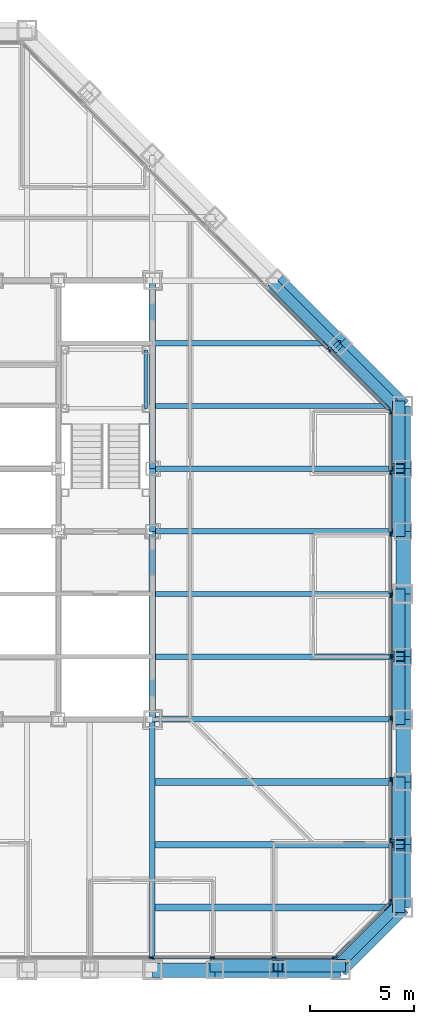
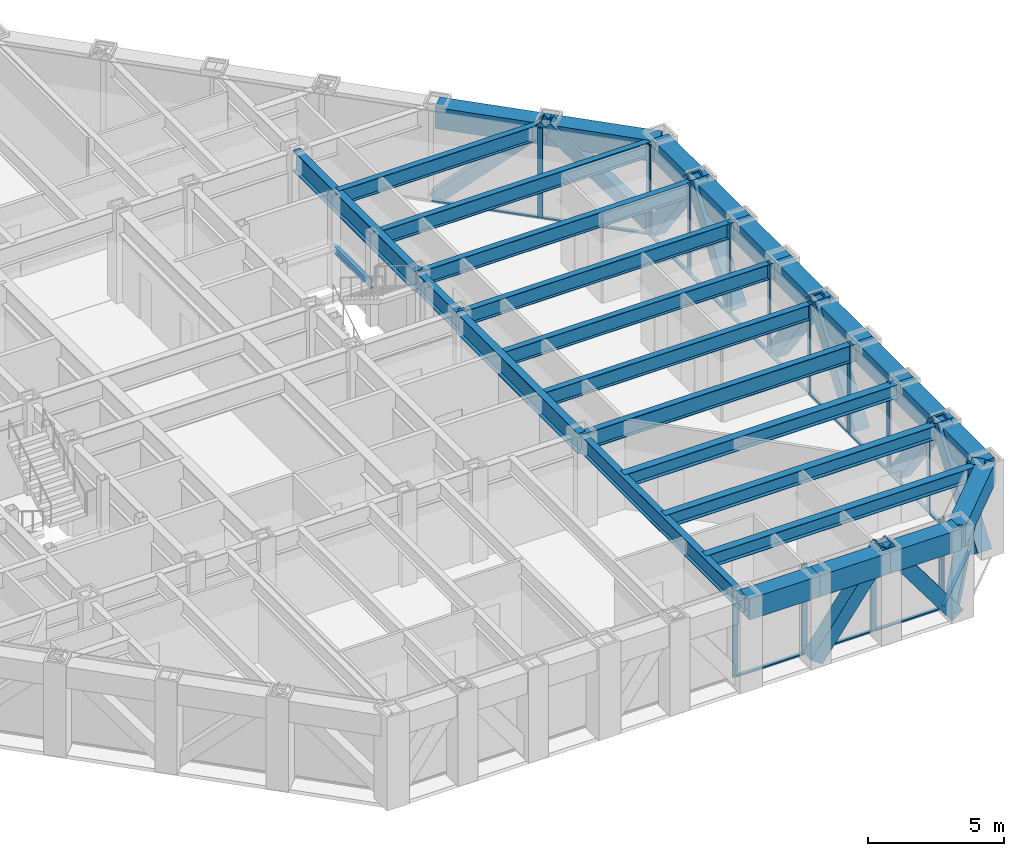
# One storey, part 6 of 17: 42 members, 29 beams, 4 elements without a shape of their own.
"""IFC4 building model written with IfcOpenShell, lengths in metres."""

from ifc_helpers import new_model, si_unit, direction, frame, origin, origin_2d, place, context, subcontext, project, spatial, rectangle, hollow_rectangle, i_section, extrude, material, layer, layer_set, material_profile, profile_set, type_object, element, aggregate, save


model = new_model("IFC4")

# Units and contexts
model_context = context("Model", 3, precision=1e-05, world=origin(), true_north=direction((0.0, 1.0)))
body_context = subcontext(model_context, "Body", "Model", "MODEL_VIEW")
ifc_project = project(units=[si_unit("LENGTHUNIT", "METRE"), si_unit("AREAUNIT", "SQUARE_METRE"), si_unit("VOLUMEUNIT", "CUBIC_METRE"), si_unit("PLANEANGLEUNIT", "RADIAN"), si_unit("MASSUNIT", "GRAM", prefix="KILO")], contexts=[model_context])

# Site, building, storey
site_placement = place(None, origin())
site = spatial("IfcSite", under=ifc_project, at=site_placement, CompositionType="ELEMENT")
building_placement = place(site_placement, origin())
building = spatial("IfcBuilding", under=site, at=building_placement, Name="Chuquiago Exchange Tower", CompositionType="ELEMENT")
storey_placement = place(building_placement, frame((0.0, 0.0, 165.60009765625)))
storey = spatial("IfcBuildingStorey", under=building, at=storey_placement, Name="L36", CompositionType="ELEMENT", Elevation=165.60009765625)

# Beams
ifc_material_1 = material(Name="Steel ASTM A992", Category="steel")
ifc_material_profile_1 = material_profile(ifc_material_1, i_section(OverallWidth=0.25390625, OverallDepth=0.683349609375, WebThickness=0.012451171875, FlangeThickness=0.018798828125, at=origin_2d()), Name="W27X94")
ifc_profile_set_1 = profile_set([ifc_material_profile_1], Name="Steel ASTM A992")
beam_type_1 = type_object("IfcBeamType", Name="B1 W27X94", PredefinedType="BEAM", material=ifc_profile_set_1)
for number, where, z_axis, x_axis, name in (
    (1, (33.0, 15.0, 3.6982421875), (1.0, 0.0, 0.0), (0.0, 1.0, 0.0), "FB-L37-infill-33_15-45_15-0"),
    (2, (33.0, 18.0, 3.6982421875), (1.0, 0.0, 0.0), (0.0, 1.0, 0.0), "FB-L37-infill-33_18-45_18-0"),
    (3, (33.0, 21.0, 3.6982421875), (1.0, 0.0, 0.0), (0.0, 1.0, 0.0), "FB-L37-infill-33_21-45_21-0"),
    (4, (33.0, 24.0, 3.6982421875), (1.0, 0.0, 0.0), (0.0, 1.0, 0.0), "FB-L37-infill-33_24-45_24-0"),
    (5, (33.0, 27.0, 3.6982421875), (1.0, 0.0, 0.0), (0.0, 1.0, 0.0), "FB-L37-infill-33_27-45_27-0"),
):
    element("IfcBeam", number, at=place(storey_placement, frame(where, z_axis=z_axis, x_axis=x_axis)), inside=storey, type_object=beam_type_1, Name=name, PredefinedType="BEAM", context=body_context, shape_type="SweptSolid", body=[
        extrude(i_section(OverallWidth=0.25390625, OverallDepth=0.683349609375, WebThickness=0.012451171875, FlangeThickness=0.018798828125, at=origin_2d()), origin(), (0.0, 0.0, 1.0), 12.0),
    ])
beam_1_placement = place(storey_placement, frame((33.0, 30.0, 3.6982421875), z_axis=(1.0, 0.0, 0.0), x_axis=(0.0, 1.0, 0.0)))
element("IfcBeam", 6, at=beam_1_placement, inside=storey, type_object=beam_type_1, Name="FB-L37-infill-33_30-42_30-0", PredefinedType="BEAM", context=body_context, shape_type="SweptSolid", body=[
    extrude(i_section(OverallWidth=0.25390625, OverallDepth=0.683349609375, WebThickness=0.012451171875, FlangeThickness=0.018798828125, at=origin_2d()), origin(), (0.0, 0.0, 1.0), 9.0),
])
ifc_material_2 = material(Name="Steel ASTM A992", Category="steel")
ifc_material_profile_2 = material_profile(ifc_material_2, i_section(OverallWidth=0.307373046875, OverallDepth=0.927001953125, WebThickness=0.01953125, FlangeThickness=0.031982421875, at=origin_2d()), Name="W36X194")
ifc_profile_set_2 = profile_set([ifc_material_profile_2], Name="Steel ASTM A992")
beam_type_2 = type_object("IfcBeamType", Name="B10 W36X194", PredefinedType="BEAM", material=ifc_profile_set_2)
for number, where, z_axis, x_axis, name in (
    (7, (33.0, 12.0, 3.576416015625), (0.0, 1.0, 0.0), (-1.0, 0.0, 0.0), "CB-L37-33_12-33_21"),
    (8, (33.0, 24.0, 3.576416015625), (0.0, 1.0, 0.0), (-1.0, 0.0, 0.0), "CB-L37-33_24-33_33"),
):
    element("IfcBeam", number, at=place(storey_placement, frame(where, z_axis=z_axis, x_axis=x_axis)), inside=storey, type_object=beam_type_2, Name=name, PredefinedType="BEAM", context=body_context, shape_type="SweptSolid", body=[
        extrude(i_section(OverallWidth=0.307373046875, OverallDepth=0.927001953125, WebThickness=0.01953125, FlangeThickness=0.031982421875, at=origin_2d()), origin(), (0.0, 0.0, 1.0), 9.0),
    ])
ifc_material_3 = material(Name="Steel ASTM A992", Category="steel")
ifc_material_profile_3 = material_profile(ifc_material_3, i_section(OverallWidth=0.3251953125, OverallDepth=0.612060546875, WebThickness=0.0126953125, FlangeThickness=0.01904296875, at=origin_2d()), Name="W24X104")
ifc_profile_set_3 = profile_set([ifc_material_profile_3], Name="Steel ASTM A992")
beam_type_3 = type_object("IfcBeamType", Name="B2 W24X104", PredefinedType="BEAM", material=ifc_profile_set_3)
for number, where, z_axis, x_axis, name in (
    (9, (33.0, 3.0, 3.73388671875), (1.0, 0.0, 0.0), (0.0, 1.0, 0.0), "FB-L37-corner-33_3-45_3-0"),
    (10, (33.0, 6.0, 3.73388671875), (1.0, 0.0, 0.0), (0.0, 1.0, 0.0), "FB-L37-corner-33_6-45_6-0"),
    (11, (33.0, 9.0, 3.73388671875), (1.0, 0.0, 0.0), (0.0, 1.0, 0.0), "FB-L37-corner-33_9-45_9-0"),
):
    element("IfcBeam", number, at=place(storey_placement, frame(where, z_axis=z_axis, x_axis=x_axis)), inside=storey, type_object=beam_type_3, Name=name, PredefinedType="BEAM", context=body_context, shape_type="SweptSolid", body=[
        extrude(i_section(OverallWidth=0.3251953125, OverallDepth=0.612060546875, WebThickness=0.0126953125, FlangeThickness=0.01904296875, at=origin_2d()), origin(), (0.0, 0.0, 1.0), 12.0),
    ])
ifc_material_4 = material(Name="Steel ASTM A992", Category="steel")
ifc_material_profile_4 = material_profile(ifc_material_4, i_section(OverallWidth=0.2919921875, OverallDepth=0.8583984375, WebThickness=0.01708984375, FlangeThickness=0.031005859375, at=origin_2d()), Name="W33X169")
ifc_profile_set_4 = profile_set([ifc_material_profile_4], Name="Steel ASTM A992")
beam_type_4 = type_object("IfcBeamType", Name="B3 W33X169", PredefinedType="BEAM", material=ifc_profile_set_4)
beam_2_placement = place(storey_placement, frame((33.0, 21.0, 3.610595703125), z_axis=(0.0, 1.0, 0.0), x_axis=(-1.0, 0.0, 0.0)))
element("IfcBeam", 12, at=beam_2_placement, inside=storey, type_object=beam_type_4, Name="CB-L37-33_21-33_24", PredefinedType="BEAM", context=body_context, shape_type="SweptSolid", body=[
    extrude(i_section(OverallWidth=0.2919921875, OverallDepth=0.8583984375, WebThickness=0.01708984375, FlangeThickness=0.031005859375, at=origin_2d()), origin(), (0.0, 0.0, 1.0), 3.0),
])

# Curtain wall, members
ifc_material_5 = material(Name="Aluminium curtain wall system", Category="aluminium")
ifc_layer_1 = layer(ifc_material_5, 0.22509765625)
ifc_layer_set_1 = layer_set([ifc_layer_1], Name="CW2 office curtain wall")
curtain_wall_type_1 = type_object("IfcCurtainWallType", Name="CW2 office curtain wall", PredefinedType="NOTDEFINED", material=ifc_layer_set_1)
curtain_wall_1_placement = place(storey_placement, origin())
curtain_wall_1 = element("IfcCurtainWall", 13, at=curtain_wall_1_placement, inside=storey, type_object=curtain_wall_type_1, Name="CW2 curtain wall L36", PredefinedType="NOTDEFINED")
ifc_material_6 = material(Name="Aluminium mullion, pale anodised", Category="aluminium")
ifc_material_profile_5 = material_profile(ifc_material_6, rectangle(XDim=0.06494140625, YDim=0.22509765625, at=origin_2d()), Name="AL 65x225")
ifc_profile_set_5 = profile_set([ifc_material_profile_5], Name="Aluminium mullion, pale anodised")
member_type_1 = type_object("IfcMemberType", Name="CW2-M mullion 65x225", PredefinedType="MULLION", material=ifc_profile_set_5)
member_1_placement = place(storey_placement, frame((32.93798828125, 0.60009765625, 0.0), z_axis=(0.0, 0.0, 1.0), x_axis=(0.0, 1.0, 0.0)))
member_1 = element("IfcMember", 14, at=member_1_placement, type_object=member_type_1, Name="CW2 mullion 6", PredefinedType="MULLION", context=body_context, shape_type="SweptSolid", body=[
    extrude(rectangle(XDim=0.06494140625, YDim=0.22509765625, at=origin_2d()), origin(), (0.0, 0.0, 1.0), 4.039794921875),
])
member_2_placement = place(storey_placement, frame((35.875732421875, 0.60009765625, 0.0), z_axis=(0.0, 0.0, 1.0), x_axis=(0.0, 1.0, 0.0)))
member_2 = element("IfcMember", 15, at=member_2_placement, type_object=member_type_1, Name="CW2 mullion 7", PredefinedType="MULLION", context=body_context, shape_type="SweptSolid", body=[
    extrude(rectangle(XDim=0.06494140625, YDim=0.22509765625, at=origin_2d()), origin(), (0.0, 0.0, 1.0), 4.039794921875),
])
member_3_placement = place(storey_placement, frame((38.813720703125, 0.60009765625, 0.0), z_axis=(0.0, 0.0, 1.0), x_axis=(0.0, 1.0, 0.0)))
member_3 = element("IfcMember", 16, at=member_3_placement, type_object=member_type_1, Name="CW2 mullion 8", PredefinedType="MULLION", context=body_context, shape_type="SweptSolid", body=[
    extrude(rectangle(XDim=0.06494140625, YDim=0.22509765625, at=origin_2d()), origin(), (0.0, 0.0, 1.0), 4.039794921875),
])
member_4_placement = place(storey_placement, frame((41.718994140625, 0.60009765625, 0.0), z_axis=(0.0, 0.0, 1.0), x_axis=(0.0, 1.0, 0.0)))
member_4 = element("IfcMember", 17, at=member_4_placement, type_object=member_type_1, Name="CW2 mullion 9", PredefinedType="MULLION", context=body_context, shape_type="SweptSolid", body=[
    extrude(rectangle(XDim=0.06494140625, YDim=0.22509765625, at=origin_2d()), origin(), (0.0, 0.0, 1.0), 4.039794921875),
])

curtain_wall_2_placement = place(storey_placement, origin())
curtain_wall_2 = element("IfcCurtainWall", 18, at=curtain_wall_2_placement, inside=storey, type_object=curtain_wall_type_1, Name="CW2 curtain wall L36", PredefinedType="NOTDEFINED")
member_5_placement = place(storey_placement, frame((44.39990234375, 3.281005859375, 0.0), z_axis=(0.0, 0.0, 1.0), x_axis=(-1.0, 0.0, 0.0)))
member_5 = element("IfcMember", 19, at=member_5_placement, type_object=member_type_1, Name="CW2 mullion 1", PredefinedType="MULLION", context=body_context, shape_type="SweptSolid", body=[
    extrude(rectangle(XDim=0.06494140625, YDim=0.22509765625, at=origin_2d()), origin(), (0.0, 0.0, 1.0), 4.039794921875),
])
member_6_placement = place(storey_placement, frame((44.39990234375, 6.186279296875, 0.0), z_axis=(0.0, 0.0, 1.0), x_axis=(-1.0, 0.0, 0.0)))
member_6 = element("IfcMember", 20, at=member_6_placement, type_object=member_type_1, Name="CW2 mullion 2", PredefinedType="MULLION", context=body_context, shape_type="SweptSolid", body=[
    extrude(rectangle(XDim=0.06494140625, YDim=0.22509765625, at=origin_2d()), origin(), (0.0, 0.0, 1.0), 4.039794921875),
])
member_7_placement = place(storey_placement, frame((44.39990234375, 9.124267578125, 0.0), z_axis=(0.0, 0.0, 1.0), x_axis=(-1.0, 0.0, 0.0)))
member_7 = element("IfcMember", 21, at=member_7_placement, type_object=member_type_1, Name="CW2 mullion 3", PredefinedType="MULLION", context=body_context, shape_type="SweptSolid", body=[
    extrude(rectangle(XDim=0.06494140625, YDim=0.22509765625, at=origin_2d()), origin(), (0.0, 0.0, 1.0), 4.039794921875),
])
member_8_placement = place(storey_placement, frame((44.39990234375, 12.06201171875, 0.0), z_axis=(0.0, 0.0, 1.0), x_axis=(-1.0, 0.0, 0.0)))
member_8 = element("IfcMember", 22, at=member_8_placement, type_object=member_type_1, Name="CW2 mullion 4", PredefinedType="MULLION", context=body_context, shape_type="SweptSolid", body=[
    extrude(rectangle(XDim=0.06494140625, YDim=0.22509765625, at=origin_2d()), origin(), (0.0, 0.0, 1.0), 4.039794921875),
])
member_9_placement = place(storey_placement, frame((44.39990234375, 15.0, 0.0), z_axis=(0.0, 0.0, 1.0), x_axis=(-1.0, 0.0, 0.0)))
member_9 = element("IfcMember", 23, at=member_9_placement, type_object=member_type_1, Name="CW2 mullion 5", PredefinedType="MULLION", context=body_context, shape_type="SweptSolid", body=[
    extrude(rectangle(XDim=0.06494140625, YDim=0.22509765625, at=origin_2d()), origin(), (0.0, 0.0, 1.0), 4.039794921875),
])
member_10_placement = place(storey_placement, frame((44.39990234375, 17.93798828125, 0.0), z_axis=(0.0, 0.0, 1.0), x_axis=(-1.0, 0.0, 0.0)))
member_10 = element("IfcMember", 24, at=member_10_placement, type_object=member_type_1, Name="CW2 mullion 6", PredefinedType="MULLION", context=body_context, shape_type="SweptSolid", body=[
    extrude(rectangle(XDim=0.06494140625, YDim=0.22509765625, at=origin_2d()), origin(), (0.0, 0.0, 1.0), 4.039794921875),
])
member_11_placement = place(storey_placement, frame((44.39990234375, 20.875732421875, 0.0), z_axis=(0.0, 0.0, 1.0), x_axis=(-1.0, 0.0, 0.0)))
member_11 = element("IfcMember", 25, at=member_11_placement, type_object=member_type_1, Name="CW2 mullion 7", PredefinedType="MULLION", context=body_context, shape_type="SweptSolid", body=[
    extrude(rectangle(XDim=0.06494140625, YDim=0.22509765625, at=origin_2d()), origin(), (0.0, 0.0, 1.0), 4.039794921875),
])
member_12_placement = place(storey_placement, frame((44.39990234375, 23.813720703125, 0.0), z_axis=(0.0, 0.0, 1.0), x_axis=(-1.0, 0.0, 0.0)))
member_12 = element("IfcMember", 26, at=member_12_placement, type_object=member_type_1, Name="CW2 mullion 8", PredefinedType="MULLION", context=body_context, shape_type="SweptSolid", body=[
    extrude(rectangle(XDim=0.06494140625, YDim=0.22509765625, at=origin_2d()), origin(), (0.0, 0.0, 1.0), 4.039794921875),
])
member_13_placement = place(storey_placement, frame((44.39990234375, 26.718994140625, 0.0), z_axis=(0.0, 0.0, 1.0), x_axis=(-1.0, 0.0, 0.0)))
member_13 = element("IfcMember", 27, at=member_13_placement, type_object=member_type_1, Name="CW2 mullion 9", PredefinedType="MULLION", context=body_context, shape_type="SweptSolid", body=[
    extrude(rectangle(XDim=0.06494140625, YDim=0.22509765625, at=origin_2d()), origin(), (0.0, 0.0, 1.0), 4.039794921875),
])

# Member
ifc_material_7 = material(Name="Aluminium transom, pale anodised", Category="aluminium")
ifc_material_profile_6 = material_profile(ifc_material_7, rectangle(XDim=0.139892578125, YDim=0.06494140625, at=origin_2d()), Name="AL 140x65")
ifc_profile_set_6 = profile_set([ifc_material_profile_6], Name="Aluminium transom, pale anodised")
member_type_2 = type_object("IfcMemberType", Name="CW2-T transom 65x140", PredefinedType="MULLION", material=ifc_profile_set_6)
member_14_placement = place(storey_placement, frame((32.970458984375, 0.60009765625, 0.032470703125), z_axis=(1.0, 0.0, 0.0), x_axis=(0.0, 1.0, 0.0)))
member_14 = element("IfcMember", 28, at=member_14_placement, type_object=member_type_2, Name="CW2 transom 6.1", PredefinedType="MULLION", context=body_context, shape_type="SweptSolid", body=[
    extrude(rectangle(XDim=0.139892578125, YDim=0.06494140625, at=origin_2d()), origin(), (0.0, 0.0, 1.0), 2.872802734375),
])

member_15_placement = place(storey_placement, frame((35.908203125, 0.60009765625, 0.032470703125), z_axis=(1.0, 0.0, 0.0), x_axis=(0.0, 1.0, 0.0)))
member_15 = element("IfcMember", 29, at=member_15_placement, type_object=member_type_2, Name="CW2 transom 7.1", PredefinedType="MULLION", context=body_context, shape_type="SweptSolid", body=[
    extrude(rectangle(XDim=0.139892578125, YDim=0.06494140625, at=origin_2d()), origin(), (0.0, 0.0, 1.0), 2.872802734375),
])

member_16_placement = place(storey_placement, frame((38.84619140625, 0.60009765625, 0.032470703125), z_axis=(1.0, 0.0, 0.0), x_axis=(0.0, 1.0, 0.0)))
member_16 = element("IfcMember", 30, at=member_16_placement, type_object=member_type_2, Name="CW2 transom 8.1", PredefinedType="MULLION", context=body_context, shape_type="SweptSolid", body=[
    extrude(rectangle(XDim=0.139892578125, YDim=0.06494140625, at=origin_2d()), origin(), (0.0, 0.0, 1.0), 2.84033203125),
])

aggregate(curtain_wall_1, [member_1, member_2, member_3, member_4, member_14, member_15, member_16])

member_17_placement = place(storey_placement, frame((44.39990234375, 3.3134765625, 0.032470703125), z_axis=(0.0, 1.0, 0.0), x_axis=(-1.0, 0.0, 0.0)))
member_17 = element("IfcMember", 31, at=member_17_placement, type_object=member_type_2, Name="CW2 transom 1.1", PredefinedType="MULLION", context=body_context, shape_type="SweptSolid", body=[
    extrude(rectangle(XDim=0.139892578125, YDim=0.06494140625, at=origin_2d()), origin(), (0.0, 0.0, 1.0), 2.84033203125),
])

member_18_placement = place(storey_placement, frame((44.39990234375, 6.218994140625, 0.032470703125), z_axis=(0.0, 1.0, 0.0), x_axis=(-1.0, 0.0, 0.0)))
member_18 = element("IfcMember", 32, at=member_18_placement, type_object=member_type_2, Name="CW2 transom 2.1", PredefinedType="MULLION", context=body_context, shape_type="SweptSolid", body=[
    extrude(rectangle(XDim=0.139892578125, YDim=0.06494140625, at=origin_2d()), origin(), (0.0, 0.0, 1.0), 2.872802734375),
])

member_19_placement = place(storey_placement, frame((44.39990234375, 9.15673828125, 0.032470703125), z_axis=(0.0, 1.0, 0.0), x_axis=(-1.0, 0.0, 0.0)))
member_19 = element("IfcMember", 33, at=member_19_placement, type_object=member_type_2, Name="CW2 transom 3.1", PredefinedType="MULLION", context=body_context, shape_type="SweptSolid", body=[
    extrude(rectangle(XDim=0.139892578125, YDim=0.06494140625, at=origin_2d()), origin(), (0.0, 0.0, 1.0), 2.872802734375),
])

member_20_placement = place(storey_placement, frame((44.39990234375, 12.0947265625, 0.032470703125), z_axis=(0.0, 1.0, 0.0), x_axis=(-1.0, 0.0, 0.0)))
member_20 = element("IfcMember", 34, at=member_20_placement, type_object=member_type_2, Name="CW2 transom 4.1", PredefinedType="MULLION", context=body_context, shape_type="SweptSolid", body=[
    extrude(rectangle(XDim=0.139892578125, YDim=0.06494140625, at=origin_2d()), origin(), (0.0, 0.0, 1.0), 2.872802734375),
])

member_21_placement = place(storey_placement, frame((44.39990234375, 15.032470703125, 0.032470703125), z_axis=(0.0, 1.0, 0.0), x_axis=(-1.0, 0.0, 0.0)))
member_21 = element("IfcMember", 35, at=member_21_placement, type_object=member_type_2, Name="CW2 transom 5.1", PredefinedType="MULLION", context=body_context, shape_type="SweptSolid", body=[
    extrude(rectangle(XDim=0.139892578125, YDim=0.06494140625, at=origin_2d()), origin(), (0.0, 0.0, 1.0), 2.872802734375),
])

member_22_placement = place(storey_placement, frame((44.39990234375, 17.970458984375, 0.032470703125), z_axis=(0.0, 1.0, 0.0), x_axis=(-1.0, 0.0, 0.0)))
member_22 = element("IfcMember", 36, at=member_22_placement, type_object=member_type_2, Name="CW2 transom 6.1", PredefinedType="MULLION", context=body_context, shape_type="SweptSolid", body=[
    extrude(rectangle(XDim=0.139892578125, YDim=0.06494140625, at=origin_2d()), origin(), (0.0, 0.0, 1.0), 2.872802734375),
])

member_23_placement = place(storey_placement, frame((44.39990234375, 20.908203125, 0.032470703125), z_axis=(0.0, 1.0, 0.0), x_axis=(-1.0, 0.0, 0.0)))
member_23 = element("IfcMember", 37, at=member_23_placement, type_object=member_type_2, Name="CW2 transom 7.1", PredefinedType="MULLION", context=body_context, shape_type="SweptSolid", body=[
    extrude(rectangle(XDim=0.139892578125, YDim=0.06494140625, at=origin_2d()), origin(), (0.0, 0.0, 1.0), 2.872802734375),
])

member_24_placement = place(storey_placement, frame((44.39990234375, 23.84619140625, 0.032470703125), z_axis=(0.0, 1.0, 0.0), x_axis=(-1.0, 0.0, 0.0)))
member_24 = element("IfcMember", 38, at=member_24_placement, type_object=member_type_2, Name="CW2 transom 8.1", PredefinedType="MULLION", context=body_context, shape_type="SweptSolid", body=[
    extrude(rectangle(XDim=0.139892578125, YDim=0.06494140625, at=origin_2d()), origin(), (0.0, 0.0, 1.0), 2.84033203125),
])

aggregate(curtain_wall_2, [member_5, member_6, member_7, member_8, member_9, member_10, member_11, member_12, member_13, member_17, member_18, member_19, member_20, member_21, member_22, member_23, member_24])

# Curtain wall, members
ifc_material_8 = material(Name="Aluminium curtain wall system", Category="aluminium")
ifc_layer_2 = layer(ifc_material_8, 0.199951171875)
ifc_layer_set_2 = layer_set([ifc_layer_2], Name="CW3 facet curtain wall")
curtain_wall_type_2 = type_object("IfcCurtainWallType", Name="CW3 facet curtain wall", PredefinedType="NOTDEFINED", material=ifc_layer_set_2)
curtain_wall_3_placement = place(storey_placement, origin())
curtain_wall_3 = element("IfcCurtainWall", 39, at=curtain_wall_3_placement, inside=storey, type_object=curtain_wall_type_2, Name="CW3 curtain wall L36", PredefinedType="NOTDEFINED")
ifc_material_9 = material(Name="Aluminium mullion, pale anodised", Category="aluminium")
ifc_material_profile_7 = material_profile(ifc_material_9, rectangle(XDim=0.06494140625, YDim=0.199951171875, at=origin_2d()), Name="AL 65x200")
ifc_profile_set_7 = profile_set([ifc_material_profile_7], Name="Aluminium mullion, pale anodised")
member_type_3 = type_object("IfcMemberType", Name="CW3-M mullion 65x200", PredefinedType="MULLION", material=ifc_profile_set_7)
member_25_placement = place(storey_placement, frame((41.7744140625, 0.623046875, 0.0), z_axis=(0.0, 0.0, 1.0), x_axis=(-0.707106781187, 0.707106781187, 0.0)))
member_25 = element("IfcMember", 40, at=member_25_placement, type_object=member_type_3, Name="CW3 mullion 1", PredefinedType="MULLION", context=body_context, shape_type="SweptSolid", body=[
    extrude(rectangle(XDim=0.06494140625, YDim=0.199951171875, at=origin_2d()), origin(), (0.0, 0.0, 1.0), 4.039794921875),
])
member_26_placement = place(storey_placement, frame((44.376953125, 3.2255859375, 0.0), z_axis=(0.0, 0.0, 1.0), x_axis=(-0.707106781187, 0.707106781187, 0.0)))
member_26 = element("IfcMember", 41, at=member_26_placement, type_object=member_type_3, Name="CW3 mullion 2", PredefinedType="MULLION", context=body_context, shape_type="SweptSolid", body=[
    extrude(rectangle(XDim=0.06494140625, YDim=0.199951171875, at=origin_2d()), origin(), (0.0, 0.0, 1.0), 4.039794921875),
])

curtain_wall_4_placement = place(storey_placement, origin())
curtain_wall_4 = element("IfcCurtainWall", 42, at=curtain_wall_4_placement, inside=storey, type_object=curtain_wall_type_2, Name="CW3 curtain wall L36", PredefinedType="NOTDEFINED")
member_27_placement = place(storey_placement, frame((44.376953125, 26.7744140625, 0.0), z_axis=(0.0, 0.0, 1.0), x_axis=(-0.707106781187, -0.707106781187, 0.0)))
member_27 = element("IfcMember", 43, at=member_27_placement, type_object=member_type_3, Name="CW3 mullion 1", PredefinedType="MULLION", context=body_context, shape_type="SweptSolid", body=[
    extrude(rectangle(XDim=0.06494140625, YDim=0.199951171875, at=origin_2d()), origin(), (0.0, 0.0, 1.0), 4.039794921875),
])
member_28_placement = place(storey_placement, frame((41.45849609375, 29.69287109375, 0.0), z_axis=(0.0, 0.0, 1.0), x_axis=(-0.707106781187, -0.707106781187, 0.0)))
member_28 = element("IfcMember", 44, at=member_28_placement, type_object=member_type_3, Name="CW3 mullion 2", PredefinedType="MULLION", context=body_context, shape_type="SweptSolid", body=[
    extrude(rectangle(XDim=0.06494140625, YDim=0.199951171875, at=origin_2d()), origin(), (0.0, 0.0, 1.0), 4.039794921875),
])

# Member
ifc_material_10 = material(Name="Aluminium transom, pale anodised", Category="aluminium")
ifc_material_profile_8 = material_profile(ifc_material_10, rectangle(XDim=0.139892578125, YDim=0.06494140625, at=origin_2d()), Name="AL 140x65")
ifc_profile_set_8 = profile_set([ifc_material_profile_8], Name="Aluminium transom, pale anodised")
member_type_4 = type_object("IfcMemberType", Name="CW3-T transom 65x140", PredefinedType="MULLION", material=ifc_profile_set_8)
member_29_placement = place(storey_placement, frame((41.79736328125, 0.64599609375, 0.032470703125), z_axis=(0.707106781187, 0.707106781187, 0.0), x_axis=(-0.707106781187, 0.707106781187, 0.0)))
member_29 = element("IfcMember", 45, at=member_29_placement, type_object=member_type_4, Name="CW3 transom 1.1", PredefinedType="MULLION", context=body_context, shape_type="SweptSolid", body=[
    extrude(rectangle(XDim=0.139892578125, YDim=0.06494140625, at=origin_2d()), origin(), (0.0, 0.0, 1.0), 3.61572265625),
])

aggregate(curtain_wall_3, [member_25, member_26, member_29])

member_30_placement = place(storey_placement, frame((44.35400390625, 26.79736328125, 0.032470703125), z_axis=(-0.707106781187, 0.707106781187, 0.0), x_axis=(-0.707106781187, -0.707106781187, 0.0)))
member_30 = element("IfcMember", 46, at=member_30_placement, type_object=member_type_4, Name="CW3 transom 1.1", PredefinedType="MULLION", context=body_context, shape_type="SweptSolid", body=[
    extrude(rectangle(XDim=0.139892578125, YDim=0.06494140625, at=origin_2d()), origin(), (0.0, 0.0, 1.0), 4.0625),
])

member_31_placement = place(storey_placement, frame((41.435546875, 29.7158203125, 0.032470703125), z_axis=(-0.707106781187, 0.707106781187, 0.0), x_axis=(-0.707106781187, -0.707106781187, 0.0)))
member_31 = element("IfcMember", 47, at=member_31_placement, type_object=member_type_4, Name="CW3 transom 2.1", PredefinedType="MULLION", context=body_context, shape_type="SweptSolid", body=[
    extrude(rectangle(XDim=0.139892578125, YDim=0.06494140625, at=origin_2d()), origin(), (0.0, 0.0, 1.0), 4.094970703125),
])

aggregate(curtain_wall_4, [member_27, member_28, member_30, member_31])

# Beams
ifc_material_11 = material(Name="Steel ASTM A992", Category="steel")
ifc_material_profile_9 = material_profile(ifc_material_11, i_section(OverallWidth=0.2666015625, OverallDepth=0.76953125, WebThickness=0.015625, FlangeThickness=0.025390625, at=origin_2d()), Name="W30X132")
ifc_profile_set_9 = profile_set([ifc_material_profile_9], Name="Steel ASTM A992")
beam_type_5 = type_object("IfcBeamType", Name="G1 W30X132", PredefinedType="BEAM", material=ifc_profile_set_9)
for number, where, z_axis, x_axis, name in (
    (48, (33.0, 12.0, 3.655029296875), (0.0, -1.0, 0.0), (1.0, 0.0, 0.0), "FB-L37-girder-33_12-33_-0-0"),
    (49, (33.0, 12.0, 3.655029296875), (1.0, 0.0, 0.0), (0.0, 1.0, 0.0), "FB-L37-girder-33_12-45_12-0"),
):
    element("IfcBeam", number, at=place(storey_placement, frame(where, z_axis=z_axis, x_axis=x_axis)), inside=storey, type_object=beam_type_5, Name=name, PredefinedType="BEAM", context=body_context, shape_type="SweptSolid", body=[
        extrude(i_section(OverallWidth=0.2666015625, OverallDepth=0.76953125, WebThickness=0.015625, FlangeThickness=0.025390625, at=origin_2d()), origin(), (0.0, 0.0, 1.0), 12.0),
    ])

# Members
ifc_material_12 = material(Name="Steel ASTM A500 Grade C", Category="steel")
ifc_material_profile_10 = material_profile(ifc_material_12, hollow_rectangle(XDim=0.508056640625, YDim=0.508056640625, WallThickness=0.017822265625, at=origin_2d()), Name="HSS20X20X3/4")
ifc_profile_set_10 = profile_set([ifc_material_profile_10], Name="Steel ASTM A500 Grade C")
member_type_5 = type_object("IfcMemberType", Name="LB1 HSS20X20X3/4", PredefinedType="BRACE", material=ifc_profile_set_10)
for number, where, z_axis, x_axis, name in (
    (50, (41.822509765625, 0.177490234375, 0.0), (0.51209198167, 0.51209198167, 0.689582195694), (-0.707106781187, 0.707106781187, 0.0), "LB-L36-42_0-45_3"),
    (51, (44.822509765625, 26.822509765625, 0.0), (-0.51209198167, 0.51209198167, 0.689582195694), (-0.707106781187, -0.707106781187, 0.0), "LB-L36-45_27-42_30"),
    (52, (38.822509765625, 32.822509765625, 0.0), (0.51209198167, -0.51209198167, 0.689582195694), (0.707106781187, 0.707106781187, 0.0), "LB-L36-42_30-39_33"),
):
    element("IfcMember", number, at=place(storey_placement, frame(where, z_axis=z_axis, x_axis=x_axis)), inside=storey, type_object=member_type_5, Name=name, PredefinedType="BRACE", context=body_context, shape_type="SweptSolid", body=[
        extrude(hollow_rectangle(XDim=0.508056640625, YDim=0.508056640625, WallThickness=0.017822265625, at=origin_2d()), origin(), (0.0, 0.0, 1.0), 5.8583984375),
    ])

# Beam
ifc_material_13 = material(Name="Steel ASTM A992", Category="steel")
ifc_material_profile_11 = material_profile(ifc_material_13, i_section(OverallWidth=0.164794921875, OverallDepth=0.309814453125, WebThickness=0.005859375, FlangeThickness=0.009765625, at=origin_2d()), Name="W12X26")
ifc_profile_set_11 = profile_set([ifc_material_profile_11], Name="Steel ASTM A992")
beam_type_6 = type_object("IfcBeamType", Name="LS1 W12X26", PredefinedType="BEAM", material=ifc_profile_set_11)
beam_3_placement = place(storey_placement, frame((32.68994140625, 26.889892578125, 1.7451171875), z_axis=(0.0, 1.0, 0.0), x_axis=(-1.0, 0.0, 0.0)))
element("IfcBeam", 53, at=beam_3_placement, inside=storey, type_object=beam_type_6, Name="Stair ST2 L36 landing 1 stringer", PredefinedType="BEAM", context=body_context, shape_type="SweptSolid", body=[
    extrude(i_section(OverallWidth=0.164794921875, OverallDepth=0.309814453125, WebThickness=0.005859375, FlangeThickness=0.009765625, at=origin_2d()), origin(), (0.0, 0.0, 1.0), 2.800048828125),
])

# Members
ifc_material_14 = material(Name="Steel ASTM A572 Grade 50", Category="steel")
ifc_material_profile_12 = material_profile(ifc_material_14, hollow_rectangle(XDim=0.60009765625, YDim=0.60009765625, WallThickness=0.06005859375, at=origin_2d()), Name="BOX600X600X60")
ifc_profile_set_12 = profile_set([ifc_material_profile_12], Name="Steel ASTM A572 Grade 50")
member_type_6 = type_object("IfcMemberType", Name="MB2 BOX600X600X60", PredefinedType="BRACE", material=ifc_profile_set_12)
for number, where, z_axis, x_axis, name in (
    (54, (36.0, 0.205078125, 0.0), (0.596197146086, 0.0, 0.802838067732), (0.0, 1.0, 0.0), "Mega diagonal L36 S face"),
    (55, (42.0, 0.205078125, 0.0), (-0.596197146086, 0.0, 0.802838067732), (0.0, -1.0, 0.0), "Mega diagonal L36 S face"),
    (56, (44.794921875, 3.0, 0.0), (0.0, 0.596197146086, 0.802838067732), (-1.0, 0.0, 0.0), "Mega diagonal L36 E face"),
    (57, (44.794921875, 9.0, 0.0), (0.0, -0.596197146086, 0.802838067732), (1.0, 0.0, 0.0), "Mega diagonal L36 E face"),
    (58, (44.794921875, 12.0, 0.0), (0.0, 0.596197146086, 0.802838067732), (-1.0, 0.0, 0.0), "Mega diagonal L36 E face"),
    (59, (44.794921875, 18.0, 0.0), (0.0, -0.596197146086, 0.802838067732), (1.0, 0.0, 0.0), "Mega diagonal L36 E face"),
    (60, (44.794921875, 21.0, 0.0), (0.0, 0.596197146086, 0.802838067732), (-1.0, 0.0, 0.0), "Mega diagonal L36 E face"),
    (61, (44.794921875, 27.0, 0.0), (0.0, -0.596197146086, 0.802838067732), (1.0, 0.0, 0.0), "Mega diagonal L36 E face"),
):
    element("IfcMember", number, at=place(storey_placement, frame(where, z_axis=z_axis, x_axis=x_axis)), inside=storey, type_object=member_type_6, Name=name, PredefinedType="BRACE", context=body_context, shape_type="SweptSolid", body=[
        extrude(hollow_rectangle(XDim=0.60009765625, YDim=0.60009765625, WallThickness=0.06005859375, at=origin_2d()), origin(), (0.0, 0.0, 1.0), 5.031982421875),
    ])

# Beams
ifc_material_15 = material(Name="Steel ASTM A572 Grade 50", Category="steel")
ifc_material_profile_13 = material_profile(ifc_material_15, hollow_rectangle(XDim=0.699951171875, YDim=0.949951171875, WallThickness=0.10009765625, at=origin_2d()), Name="BOX950X700X100")
ifc_profile_set_13 = profile_set([ifc_material_profile_13], Name="Steel ASTM A572 Grade 50")
beam_type_7 = type_object("IfcBeamType", Name="SP5 BOX950X700X100", PredefinedType="SPANDREL", material=ifc_profile_set_13)
for number, where, z_axis, x_axis, name in (
    (62, (33.0, 0.0, 3.56494140625), (1.0, 0.0, 0.0), (0.0, 1.0, 0.0), "SPB-L37-33_0-36_0"),
    (63, (36.0, 0.0, 3.56494140625), (1.0, 0.0, 0.0), (0.0, 1.0, 0.0), "SPB-L37-36_0-39_0"),
    (64, (39.0, 0.0, 3.56494140625), (1.0, 0.0, 0.0), (0.0, 1.0, 0.0), "SPB-L37-39_0-42_0"),
):
    element("IfcBeam", number, at=place(storey_placement, frame(where, z_axis=z_axis, x_axis=x_axis)), inside=storey, type_object=beam_type_7, Name=name, PredefinedType="SPANDREL", context=body_context, shape_type="SweptSolid", body=[
        extrude(hollow_rectangle(XDim=0.699951171875, YDim=0.949951171875, WallThickness=0.10009765625, at=origin_2d()), origin(), (0.0, 0.0, 1.0), 3.0),
    ])
beam_4_placement = place(storey_placement, frame((42.0, 0.0, 3.56494140625), z_axis=(0.707106781187, 0.707106781187, 0.0), x_axis=(-0.707106781187, 0.707106781187, 0.0)))
element("IfcBeam", 65, at=beam_4_placement, inside=storey, type_object=beam_type_7, Name="SPB-L37-42_0-45_3", PredefinedType="SPANDREL", context=body_context, shape_type="SweptSolid", body=[
    extrude(hollow_rectangle(XDim=0.699951171875, YDim=0.949951171875, WallThickness=0.10009765625, at=origin_2d()), origin(), (0.0, 0.0, 1.0), 4.24267578125),
])
for number, where, z_axis, x_axis, name in (
    (66, (45.0, 3.0, 3.56494140625), (0.0, 1.0, 0.0), (-1.0, 0.0, 0.0), "SPB-L37-45_3-45_6"),
    (67, (45.0, 6.0, 3.56494140625), (0.0, 1.0, 0.0), (-1.0, 0.0, 0.0), "SPB-L37-45_6-45_9"),
    (68, (45.0, 9.0, 3.56494140625), (0.0, 1.0, 0.0), (-1.0, 0.0, 0.0), "SPB-L37-45_9-45_12"),
    (69, (45.0, 12.0, 3.56494140625), (0.0, 1.0, 0.0), (-1.0, 0.0, 0.0), "SPB-L37-45_12-45_15"),
    (70, (45.0, 15.0, 3.56494140625), (0.0, 1.0, 0.0), (-1.0, 0.0, 0.0), "SPB-L37-45_15-45_18"),
    (71, (45.0, 18.0, 3.56494140625), (0.0, 1.0, 0.0), (-1.0, 0.0, 0.0), "SPB-L37-45_18-45_21"),
    (72, (45.0, 21.0, 3.56494140625), (0.0, 1.0, 0.0), (-1.0, 0.0, 0.0), "SPB-L37-45_21-45_24"),
    (73, (45.0, 24.0, 3.56494140625), (0.0, 1.0, 0.0), (-1.0, 0.0, 0.0), "SPB-L37-45_24-45_27"),
):
    element("IfcBeam", number, at=place(storey_placement, frame(where, z_axis=z_axis, x_axis=x_axis)), inside=storey, type_object=beam_type_7, Name=name, PredefinedType="SPANDREL", context=body_context, shape_type="SweptSolid", body=[
        extrude(hollow_rectangle(XDim=0.699951171875, YDim=0.949951171875, WallThickness=0.10009765625, at=origin_2d()), origin(), (0.0, 0.0, 1.0), 3.0),
    ])
for number, where, z_axis, x_axis, name in (
    (74, (45.0, 27.0, 3.56494140625), (-0.707106781187, 0.707106781187, 0.0), (-0.707106781187, -0.707106781187, 0.0), "SPB-L37-45_27-42_30"),
    (75, (42.0, 30.0, 3.56494140625), (-0.707106781187, 0.707106781187, 0.0), (-0.707106781187, -0.707106781187, 0.0), "SPB-L37-42_30-39_33"),
):
    element("IfcBeam", number, at=place(storey_placement, frame(where, z_axis=z_axis, x_axis=x_axis)), inside=storey, type_object=beam_type_7, Name=name, PredefinedType="SPANDREL", context=body_context, shape_type="SweptSolid", body=[
        extrude(hollow_rectangle(XDim=0.699951171875, YDim=0.949951171875, WallThickness=0.10009765625, at=origin_2d()), origin(), (0.0, 0.0, 1.0), 4.24267578125),
    ])

save(model, "model.ifc")
